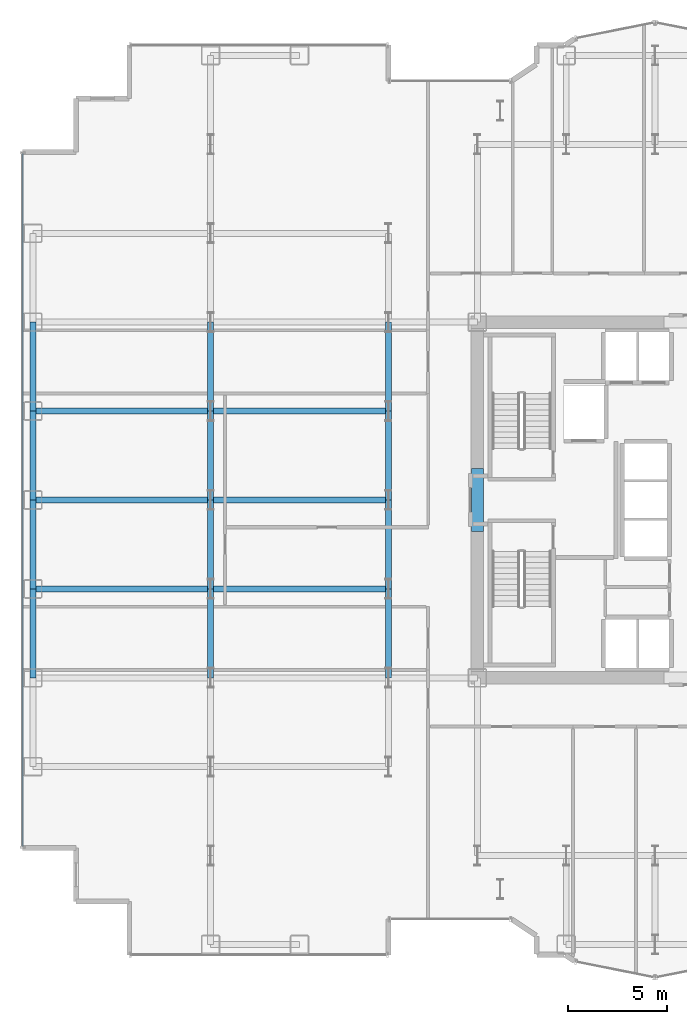
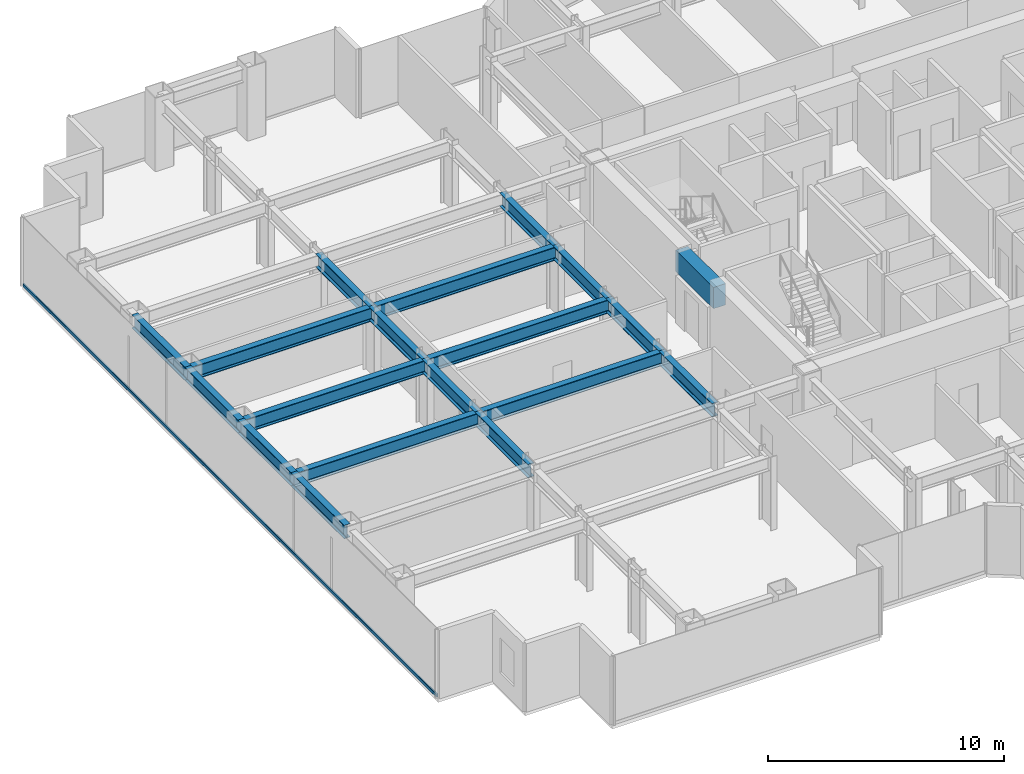
# One storey, part 5 of 25: 19 beams, 1 member, 1 element without a shape of its own.
"""IFC4 building model written with IfcOpenShell, lengths in metres."""

from ifc_helpers import new_model, si_unit, direction, frame, origin, origin_2d, place, context, subcontext, project, spatial, rectangle, hollow_rectangle, i_section, extrude, source, transform, mapped, material, layer, layer_set, material_profile, profile_set, type_object, element, aggregate, save


model = new_model("IFC4")

# Units and contexts
model_context = context("Model", 3, precision=1e-05, world=origin(), true_north=direction((0.0, 1.0)))
body_context = subcontext(model_context, "Body", "Model", "MODEL_VIEW")
ifc_project = project(units=[si_unit("LENGTHUNIT", "METRE"), si_unit("AREAUNIT", "SQUARE_METRE"), si_unit("VOLUMEUNIT", "CUBIC_METRE"), si_unit("PLANEANGLEUNIT", "RADIAN"), si_unit("MASSUNIT", "GRAM", prefix="KILO")], contexts=[model_context])

# Site, building, storey
site_placement = place(None, origin())
site = spatial("IfcSite", under=ifc_project, at=site_placement, CompositionType="ELEMENT")
building_placement = place(site_placement, origin())
building = spatial("IfcBuilding", under=site, at=building_placement, Name="Nefas-Gora Pilgrimage Tower", CompositionType="ELEMENT")
storey_placement = place(building_placement, frame((0.0, 0.0, 71.0)))
storey = spatial("IfcBuildingStorey", under=building, at=storey_placement, Name="L16", CompositionType="ELEMENT", Elevation=71.0)

# Beams
ifc_material_1 = material(Name="Concrete C60/75", Category="concrete")
ifc_material_profile_1 = material_profile(ifc_material_1, rectangle(XDim=0.60009765625, YDim=1.10009765625, at=origin_2d()), Name="RC 600x1100")
ifc_profile_set_1 = profile_set([ifc_material_profile_1], Name="Concrete C60/75")
beam_type_1 = type_object("IfcBeamType", Name="BM-LIN-RC1100", PredefinedType="LINTEL", material=ifc_profile_set_1)
shared_shape_1 = source(origin(), body_context, "Body", "SweptSolid", [
    extrude(rectangle(XDim=0.60009765625, YDim=1.10009765625, at=origin_2d()), origin(), (0.0, 0.0, 1.0), 3.2001953125),
])
beam_placement = place(storey_placement, frame((-11.25, -1.60009765625, 3.0), z_axis=(0.0, 1.0, 0.0), x_axis=(-1.0, 0.0, 0.0)))
element("IfcBeam", 1, at=beam_placement, inside=storey, type_object=beam_type_1, Name="L16 Core Coupling Lintel Beam W", PredefinedType="LINTEL", context=body_context, shape_type="MappedRepresentation", body=[
    mapped(shared_shape_1, transform((0.0, 0.0, 0.0), x_axis=(1.0, 0.0, 0.0), y_axis=(0.0, 1.0, 0.0), z_axis=(0.0, 0.0, 1.0), scale=1.0)),
])
ifc_material_2 = material(Name="Steel S355", Category="steel")
ifc_material_profile_2 = material_profile(ifc_material_2, i_section(OverallWidth=0.300048828125, OverallDepth=0.699951171875, WebThickness=0.01708984375, FlangeThickness=0.031982421875, FilletRadius=0.027099609375, at=origin_2d()), Name="HEB 700")
ifc_profile_set_2 = profile_set([ifc_material_profile_2], Name="Steel S355")
beam_type_2 = type_object("IfcBeamType", Name="BM-SPN-HEB600", PredefinedType="SPANDREL", material=ifc_profile_set_2)
shared_shape_2 = source(origin(), body_context, "Body", "SweptSolid", [
    extrude(i_section(OverallWidth=0.300048828125, OverallDepth=0.699951171875, WebThickness=0.01708984375, FlangeThickness=0.031982421875, FilletRadius=0.027099609375, at=origin_2d()), origin(), (0.0, 0.0, 1.0), 4.5),
])
for number, where, z_axis, x_axis, name in (
    (2, (-33.75, -9.0, 3.199951171875), (0.0, 1.0, 0.0), (-1.0, 0.0, 0.0), "L16 SP-01 beam"),
    (3, (-33.75, -4.5, 3.199951171875), (0.0, 1.0, 0.0), (-1.0, 0.0, 0.0), "L16 SP-01 beam"),
    (4, (-33.75, 0.0, 3.199951171875), (0.0, 1.0, 0.0), (-1.0, 0.0, 0.0), "L16 SP-01 beam"),
    (5, (-33.75, 4.5, 3.199951171875), (0.0, 1.0, 0.0), (-1.0, 0.0, 0.0), "L16 SP-01 beam"),
):
    element("IfcBeam", number, at=place(storey_placement, frame(where, z_axis=z_axis, x_axis=x_axis)), inside=storey, type_object=beam_type_2, Name=name, PredefinedType="SPANDREL", context=body_context, shape_type="MappedRepresentation", body=[
        mapped(shared_shape_2, transform((0.0, 0.0, 0.0), x_axis=(1.0, 0.0, 0.0), y_axis=(0.0, 1.0, 0.0), z_axis=(0.0, 0.0, 1.0), scale=1.0)),
    ])
ifc_material_profile_3 = material_profile(ifc_material_2, i_section(OverallWidth=0.300048828125, OverallDepth=0.699951171875, WebThickness=0.01708984375, FlangeThickness=0.031982421875, FilletRadius=0.027099609375, at=origin_2d()), Name="HEB 700")
ifc_profile_set_3 = profile_set([ifc_material_profile_3], Name="Steel S355")
beam_type_3 = type_object("IfcBeamType", Name="BM-GIR-HEB700", PredefinedType="BEAM", material=ifc_profile_set_3)
shared_shape_3 = source(origin(), body_context, "Body", "SweptSolid", [
    extrude(i_section(OverallWidth=0.300048828125, OverallDepth=0.699951171875, WebThickness=0.01708984375, FlangeThickness=0.031982421875, FilletRadius=0.027099609375, at=origin_2d()), origin(), (0.0, 0.0, 1.0), 9.0),
])
for number, where, z_axis, x_axis, name in (
    (6, (-33.75, -4.5, 3.199951171875), (1.0, 0.0, 0.0), (0.0, 1.0, 0.0), "L16 G-02 beam"),
    (7, (-33.75, 0.0, 3.199951171875), (1.0, 0.0, 0.0), (0.0, 1.0, 0.0), "L16 G-02 beam"),
    (8, (-33.75, 4.5, 3.199951171875), (1.0, 0.0, 0.0), (0.0, 1.0, 0.0), "L16 G-02 beam"),
    (9, (-24.75, -4.5, 3.199951171875), (1.0, 0.0, 0.0), (0.0, 1.0, 0.0), "L16 G-02 beam"),
    (10, (-24.75, 0.0, 3.199951171875), (1.0, 0.0, 0.0), (0.0, 1.0, 0.0), "L16 G-02 beam"),
    (11, (-24.75, 4.5, 3.199951171875), (1.0, 0.0, 0.0), (0.0, 1.0, 0.0), "L16 G-02 beam"),
):
    element("IfcBeam", number, at=place(storey_placement, frame(where, z_axis=z_axis, x_axis=x_axis)), inside=storey, type_object=beam_type_3, Name=name, PredefinedType="BEAM", context=body_context, shape_type="MappedRepresentation", body=[
        mapped(shared_shape_3, transform((0.0, 0.0, 0.0), x_axis=(1.0, 0.0, 0.0), y_axis=(0.0, 1.0, 0.0), z_axis=(0.0, 0.0, 1.0), scale=1.0)),
    ])
shared_shape_4 = source(origin(), body_context, "Body", "SweptSolid", [
    extrude(i_section(OverallWidth=0.300048828125, OverallDepth=0.699951171875, WebThickness=0.01708984375, FlangeThickness=0.031982421875, FilletRadius=0.027099609375, at=origin_2d()), origin(), (0.0, 0.0, 1.0), 4.5),
])
for number, where, z_axis, x_axis, name in (
    (12, (-24.75, -9.0, 3.199951171875), (0.0, 1.0, 0.0), (-1.0, 0.0, 0.0), "L16 G-02 beam"),
    (13, (-24.75, -4.5, 3.199951171875), (0.0, 1.0, 0.0), (-1.0, 0.0, 0.0), "L16 G-02 beam"),
    (14, (-24.75, 0.0, 3.199951171875), (0.0, 1.0, 0.0), (-1.0, 0.0, 0.0), "L16 G-02 beam"),
    (15, (-24.75, 4.5, 3.199951171875), (0.0, 1.0, 0.0), (-1.0, 0.0, 0.0), "L16 G-02 beam"),
    (16, (-15.75, -9.0, 3.199951171875), (0.0, 1.0, 0.0), (-1.0, 0.0, 0.0), "L16 G-02 beam"),
    (17, (-15.75, -4.5, 3.199951171875), (0.0, 1.0, 0.0), (-1.0, 0.0, 0.0), "L16 G-02 beam"),
    (18, (-15.75, 0.0, 3.199951171875), (0.0, 1.0, 0.0), (-1.0, 0.0, 0.0), "L16 G-02 beam"),
    (19, (-15.75, 4.5, 3.199951171875), (0.0, 1.0, 0.0), (-1.0, 0.0, 0.0), "L16 G-02 beam"),
):
    element("IfcBeam", number, at=place(storey_placement, frame(where, z_axis=z_axis, x_axis=x_axis)), inside=storey, type_object=beam_type_3, Name=name, PredefinedType="BEAM", context=body_context, shape_type="MappedRepresentation", body=[
        mapped(shared_shape_4, transform((0.0, 0.0, 0.0), x_axis=(1.0, 0.0, 0.0), y_axis=(0.0, 1.0, 0.0), z_axis=(0.0, 0.0, 1.0), scale=1.0)),
    ])

# Curtain wall, member
ifc_material_3 = material(Name="Dark ceramic-fritted solar-control aluminium-glass curtain wall", Category="aluminium")
ifc_layer = layer(ifc_material_3, 0.219970703125)
ifc_layer_set = layer_set([ifc_layer], Name="Dark ceramic-fritted solar-control aluminium-glass curtain wall")
curtain_wall_type = type_object("IfcCurtainWallType", Name="CW-SYS-2", PredefinedType="NOTDEFINED", material=ifc_layer_set)
curtain_wall_placement = place(storey_placement, origin())
curtain_wall = element("IfcCurtainWall", 20, at=curtain_wall_placement, inside=storey, type_object=curtain_wall_type, Name="L16 Unitised Curtain Wall CW2", PredefinedType="NOTDEFINED")
ifc_material_4 = material(Name="Anodised architectural aluminium", Category="aluminium")
ifc_material_profile_4 = material_profile(ifc_material_4, hollow_rectangle(XDim=0.080078125, YDim=0.159912109375, WallThickness=0.00439453125, InnerFilletRadius=0.00439453125, OuterFilletRadius=0.009033203125, at=origin_2d()), Name="ALU TRANSOM 80x160")
ifc_profile_set_4 = profile_set([ifc_material_profile_4], Name="Anodised architectural aluminium")
member_type = type_object("IfcMemberType", Name="CWM-TRN-2", PredefinedType="USERDEFINED", material=ifc_profile_set_4)
shared_shape_5 = source(origin(), body_context, "Body", "SweptSolid", [
    extrude(hollow_rectangle(XDim=0.080078125, YDim=0.159912109375, WallThickness=0.00439453125, InnerFilletRadius=0.00439453125, OuterFilletRadius=0.009033203125, at=origin_2d()), origin(), (0.0, 0.0, 1.0), 35.06005859375),
])
member_placement = place(storey_placement, frame((-34.27001953125, 17.530029296875, 0.050048828125), z_axis=(0.0, -1.0, 0.0), x_axis=(1.0, 0.0, 0.0)))
member = element("IfcMember", 21, at=member_placement, type_object=member_type, Name="CW2 Spandrel Transom", ObjectType="TRANSOM", PredefinedType="USERDEFINED", context=body_context, shape_type="MappedRepresentation", body=[
    mapped(shared_shape_5, transform((0.0, 0.0, 0.0), x_axis=(1.0, 0.0, 0.0), y_axis=(0.0, 1.0, 0.0), z_axis=(0.0, 0.0, 1.0), scale=1.0)),
])
aggregate(curtain_wall, [member])

save(model, "model.ifc")
